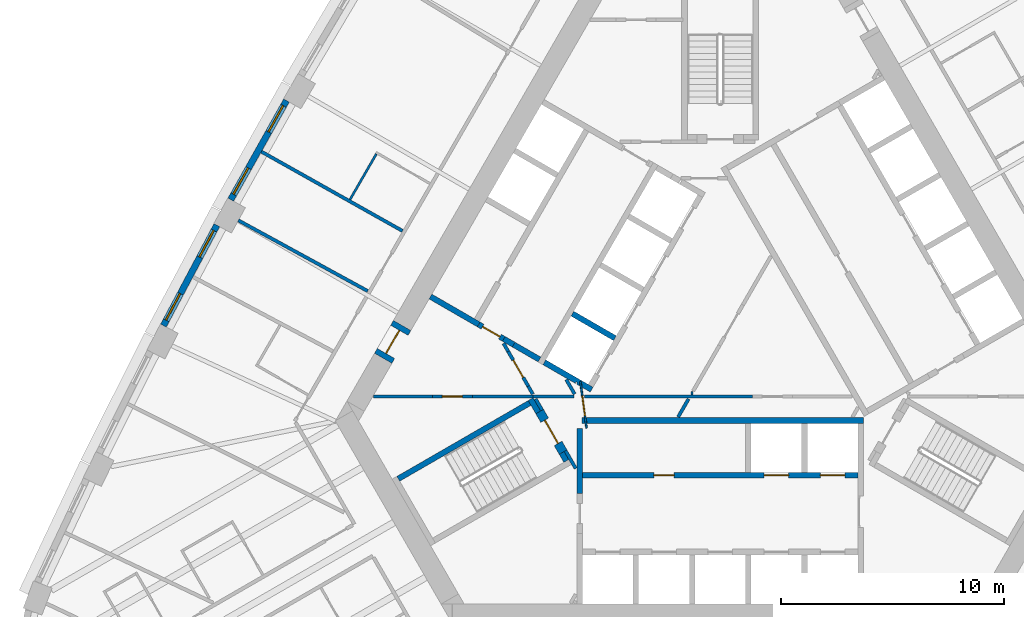
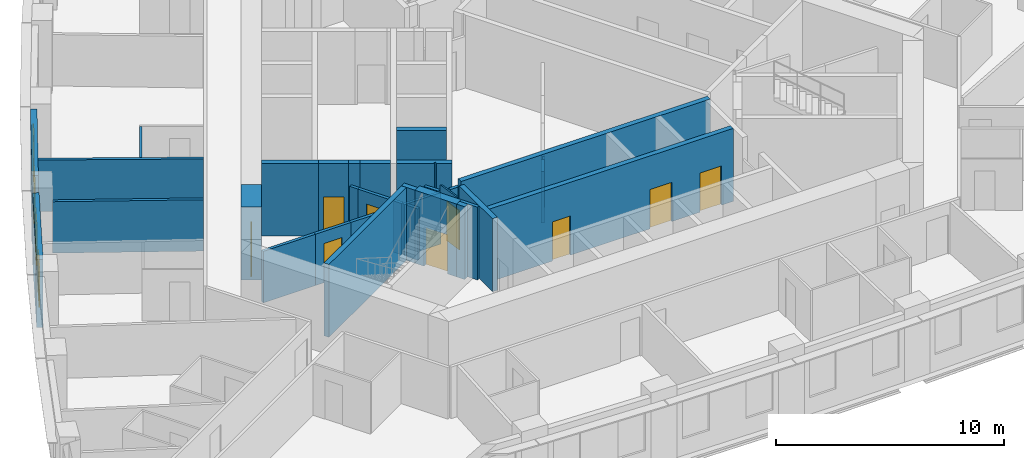
# One storey, part 5 of 12: 33 walls, 9 doors, 4 windows, 13 openings.
"""IFC4 building model written with IfcOpenShell, lengths in metres."""

import ifcopenshell
import ifcopenshell.guid

model = None  # the IFC model being written
_history = None  # IfcOwnerHistory: only IFC2X3 demands one
_inside = {}  # id of a spatial element -> (the spatial element, [elements in it])
_under = {}  # id of a project, library or spatial element -> (it, [spatial elements below it])
_declared = {}  # id of a project -> (the project, [libraries it declares])
_typed = {}  # id of a type object -> (the type object, [elements of that type])
_made_of = {}  # id of a material, layer set ... -> (it, [elements and type objects made of it])


def new_model(schema):
    """Start an empty IFC model of exactly this schema.

    Asked for "IFC4X3", IfcOpenShell would pick the latest addendum, in which some entities
    have other attributes; the version numbers below select the first issue.
    IFC2X3 requires an IfcOwnerHistory on every rooted entity: one is made here for all.
    """
    global model, _history
    if schema == "IFC4X3":
        model = ifcopenshell.file(schema_version=(4, 3, 0, 0))
    else:
        model = ifcopenshell.file(schema=schema)
    _inside.clear()
    _under.clear()
    _declared.clear()
    _typed.clear()
    _made_of.clear()
    _history = None
    if model.schema == "IFC2X3":
        org = make("IfcOrganization", Name="unknown")
        user = make(
            "IfcPersonAndOrganization",
            ThePerson=make("IfcPerson", FamilyName="unknown"),
            TheOrganization=org,
        )
        app = make(
            "IfcApplication",
            ApplicationDeveloper=org,
            Version="unknown",
            ApplicationFullName="unknown",
            ApplicationIdentifier="unknown",
        )
        _history = make(
            "IfcOwnerHistory",
            OwningUser=user,
            OwningApplication=app,
            ChangeAction="ADDED",
            CreationDate=0,
        )
    return model


def make(cls, **values):
    """One entity of the class cls with the attributes given. An attribute that is None is left unset."""
    return model.create_entity(
        cls, **{name: value for name, value in values.items() if value is not None}
    )


def rooted(cls, **values):
    """An entity with a GlobalId (a new one), such as an element, a storey or a relation."""
    return make(cls, GlobalId=ifcopenshell.guid.new(), OwnerHistory=_history, **values)


def si_unit(unit_type, name, prefix=None):
    """IfcSIUnit, for example si_unit("LENGTHUNIT", "METRE", prefix="MILLI")."""
    return make("IfcSIUnit", UnitType=unit_type, Prefix=prefix, Name=name)


def assignment(units):
    """IfcUnitAssignment: the units of a project."""
    return None if units is None else make("IfcUnitAssignment", Units=units)


def point(xyz):
    """IfcCartesianPoint."""
    return None if xyz is None else make("IfcCartesianPoint", Coordinates=xyz)


def direction(xyz):
    """IfcDirection."""
    return None if xyz is None else make("IfcDirection", DirectionRatios=xyz)


def frame(location, z_axis=None, x_axis=None):
    """IfcAxis2Placement3D, a coordinate frame: its origin and axes. An axis left out is left unset."""
    return make(
        "IfcAxis2Placement3D",
        Location=point(location),
        Axis=direction(z_axis),
        RefDirection=direction(x_axis),
    )


def frame_2d(location, x_axis=None):
    """IfcAxis2Placement2D, a coordinate frame in the plane: its origin and x axis."""
    return make(
        "IfcAxis2Placement2D", Location=point(location), RefDirection=direction(x_axis)
    )


def origin():
    """The frame at (0, 0, 0) with its axes left unset."""
    return frame((0.0, 0.0, 0.0))


def place(relative_to, where):
    """IfcLocalPlacement: puts the frame where relative to a parent placement (None: the world)."""
    return make(
        "IfcLocalPlacement", PlacementRelTo=relative_to, RelativePlacement=where
    )


def context(
    kind, dimensions, precision=None, world=None, true_north=None, identifier=None
):
    """IfcGeometricRepresentationContext, for example the 3D "Model" context."""
    return make(
        "IfcGeometricRepresentationContext",
        ContextIdentifier=identifier,
        ContextType=kind,
        CoordinateSpaceDimension=dimensions,
        Precision=precision,
        WorldCoordinateSystem=world,
        TrueNorth=true_north,
    )


def subcontext(parent, identifier, kind, view, scale=None):
    """IfcGeometricRepresentationSubContext, for example "Body" below "Model"."""
    return make(
        "IfcGeometricRepresentationSubContext",
        ContextIdentifier=identifier,
        ContextType=kind,
        ParentContext=parent,
        TargetScale=scale,
        TargetView=view,
    )


def project(units=None, contexts=None):
    """IfcProject with its units and contexts."""
    return rooted(
        "IfcProject",
        Name="project",
        RepresentationContexts=contexts,
        UnitsInContext=assignment(units),
    )


def spatial(cls, under=None, at=None, **own):
    """A site, building, storey or space (cls), placed at a placement, below another one or the project."""
    s = rooted(cls, ObjectPlacement=at, **own)
    if under is not None:
        _under.setdefault(under.id(), (under, []))[1].append(s)
    return s


def polyline(points):
    """IfcPolyline through the points."""
    return make("IfcPolyline", Points=[point(p) for p in points])


def profile(cls, at=None, kind="AREA", **sizes):
    """A parametric profile (cls). Its sizes go by their IFC names, for example OverallWidth=200.0."""
    return make(cls, ProfileType=kind, Position=at, **sizes)


def rectangle(**sizes):
    """IfcRectangleProfileDef."""
    return profile("IfcRectangleProfileDef", **sizes)


def outline(outer, holes=None, kind="AREA"):
    """IfcArbitraryClosedProfileDef: a profile drawn as a closed curve; with holes, ...WithVoids."""
    if holes is None:
        return make("IfcArbitraryClosedProfileDef", ProfileType=kind, OuterCurve=outer)
    return make(
        "IfcArbitraryProfileDefWithVoids",
        ProfileType=kind,
        OuterCurve=outer,
        InnerCurves=holes,
    )


def extrude(swept, where, along, depth):
    """IfcExtrudedAreaSolid: the profile swept, set in the frame where, extruded along a direction by depth."""
    return make(
        "IfcExtrudedAreaSolid",
        SweptArea=swept,
        Position=where,
        ExtrudedDirection=direction(along),
        Depth=depth,
    )


def shape(context_of_items, identifier, shape_type, items):
    """IfcShapeRepresentation: the items that make up one representation, for example the "Body"."""
    return make(
        "IfcShapeRepresentation",
        ContextOfItems=context_of_items,
        RepresentationIdentifier=identifier,
        RepresentationType=shape_type,
        Items=items,
    )


def material(Name=None, Category=None):
    """IfcMaterial."""
    return make("IfcMaterial", Name=Name, Category=Category)


def layer(
    of_material, thickness, ventilated=None, Name=None, Category=None, Priority=None
):
    """IfcMaterialLayer: one layer of a wall or slab, of a material (None: an air gap)."""
    return make(
        "IfcMaterialLayer",
        Material=of_material,
        LayerThickness=thickness,
        IsVentilated=ventilated,
        Name=Name,
        Category=Category,
        Priority=Priority,
    )


def layer_set(layers, Name=None):
    """IfcMaterialLayerSet."""
    return make("IfcMaterialLayerSet", MaterialLayers=layers, LayerSetName=Name)


def made_of(thing, what):
    """Note that an element or type object is made of a material, layer set ...; save() writes the relation."""
    if what is not None:
        _made_of.setdefault(what.id(), (what, []))[1].append(thing)
    return thing


def type_object(cls, material=None, **own):
    """A type object (cls), such as IfcWallType, which elements share."""
    return made_of(rooted(cls, **own), material)


def element(
    cls,
    number,
    at=None,
    inside=None,
    cuts=None,
    type_object=None,
    material=None,
    context=None,
    identifier="Body",
    shape_type=None,
    held_by="IfcProductDefinitionShape",
    body=None,
    shapes=None,
    **own,
):
    """One element of the class cls, such as IfcWall. Its Tag is "e" and its number.

    at: its placement. inside: the storey or other place that contains it. cuts: it is an
    opening in that element (IfcRelVoidsElement). A single representation is given by context,
    identifier, shape_type and body (its items); several are given by shapes. held_by: the class
    of the entity that holds the representations. save() writes the other relations.
    """
    e = rooted(cls, Tag="e%d" % number, ObjectPlacement=at, **own)
    if body is not None:
        shapes = [shape(context, identifier, shape_type, body)]
    if shapes is not None:
        e.Representation = make(held_by, Representations=shapes)
    if inside is not None:
        _inside.setdefault(inside.id(), (inside, []))[1].append(e)
    if cuts is not None:
        rooted(
            "IfcRelVoidsElement", RelatingBuildingElement=cuts, RelatedOpeningElement=e
        )
    if type_object is not None:
        _typed.setdefault(type_object.id(), (type_object, []))[1].append(e)
    return made_of(e, material)


def fill(opening, filler):
    """IfcRelFillsElement: the door or window that sits in an opening."""
    return rooted(
        "IfcRelFillsElement",
        RelatingOpeningElement=opening,
        RelatedBuildingElement=filler,
    )


def aggregate(whole, parts):
    """IfcRelAggregates: a whole, such as a stair, and the parts it consists of."""
    return rooted("IfcRelAggregates", RelatingObject=whole, RelatedObjects=parts)


def save(model, path):
    """Write the relations noted so far, then the file.

    IfcRelAggregates (storeys below a building ...), IfcRelContainedInSpatialStructure (elements
    in a storey), IfcRelDefinesByType, IfcRelAssociatesMaterial and IfcRelDeclares: one each for
    every whole, place, type object, material and project.
    """
    for whole, parts in _under.values():
        aggregate(whole, parts)
    for where, things in _inside.values():
        rooted(
            "IfcRelContainedInSpatialStructure",
            RelatedElements=things,
            RelatingStructure=where,
        )
    for kind, things in _typed.values():
        rooted("IfcRelDefinesByType", RelatedObjects=things, RelatingType=kind)
    for what, things in _made_of.values():
        rooted("IfcRelAssociatesMaterial", RelatedObjects=things, RelatingMaterial=what)
    for by, libraries in _declared.values():
        rooted("IfcRelDeclares", RelatingContext=by, RelatedDefinitions=libraries)
    model.write(path)


model = new_model("IFC4")

# Units and contexts
model_context = context("Model", 3, precision=1e-05, world=origin(), true_north=direction((0.0, 1.0)))
body_context = subcontext(model_context, "Body", "Model", "MODEL_VIEW")
ifc_project = project(units=[si_unit("LENGTHUNIT", "METRE"), si_unit("AREAUNIT", "SQUARE_METRE"), si_unit("VOLUMEUNIT", "CUBIC_METRE"), si_unit("PLANEANGLEUNIT", "RADIAN"), si_unit("MASSUNIT", "GRAM", prefix="KILO")], contexts=[model_context])

# Site, building, storey
site_placement = place(None, origin())
site = spatial("IfcSite", under=ifc_project, at=site_placement, CompositionType="ELEMENT")
building_placement = place(site_placement, origin())
building = spatial("IfcBuilding", under=site, at=building_placement, Name="Mestral Congress Tower", CompositionType="ELEMENT")
storey_placement = place(building_placement, frame((0.0, 0.0, 126.60009765625)))
storey = spatial("IfcBuildingStorey", under=building, at=storey_placement, Name="L30", CompositionType="ELEMENT", Elevation=126.60009765625)

# Walls
ifc_material_1 = material(Name="Fire-rated board partition")
ifc_layer_1 = layer(ifc_material_1, 0.14990234375)
ifc_layer_set_1 = layer_set([ifc_layer_1], Name="Fire-rated board partition")
wall_type_1 = type_object("IfcWallType", Name="Core partition 150", PredefinedType="PARTITIONING", material=ifc_layer_set_1)
wall_1_placement = place(storey_placement, frame((-12.9150390625, -2.800048828125, 0.0), z_axis=(0.0, 0.0, 1.0), x_axis=(-1.0, 0.0, 0.0)))
element("IfcWall", 1, at=wall_1_placement, inside=storey, type_object=wall_type_1, Name="L30 core wall", PredefinedType="PARTITIONING", context=body_context, shape_type="SweptSolid", body=[
    extrude(rectangle(XDim=2.63671875, YDim=0.14990234375, at=frame_2d((1.318359375, 0.0))), origin(), (0.0, 0.0, 1.0), 2.75),
])
wall_2_placement = place(storey_placement, frame((-8.394775390625, -2.800048828125, 0.0), z_axis=(0.0, 0.0, 1.0), x_axis=(1.0, 0.0, 0.0)))
element("IfcWall", 2, at=wall_2_placement, inside=storey, type_object=wall_type_1, Name="L30 core wall", PredefinedType="PARTITIONING", context=body_context, shape_type="SweptSolid", body=[
    extrude(rectangle(XDim=1.828125, YDim=0.14990234375, at=frame_2d((0.9140625, 0.0))), origin(), (0.0, 0.0, 1.0), 2.75),
])
wall_3_placement = place(storey_placement, frame((-11.11474609375, -2.800048828125, 0.0), z_axis=(0.0, 0.0, 1.0), x_axis=(1.0, 0.0, 0.0)))
element("IfcWall", 3, at=wall_3_placement, inside=storey, type_object=wall_type_1, Name="L30 core wall", PredefinedType="PARTITIONING", context=body_context, shape_type="SweptSolid", body=[
    extrude(rectangle(XDim=2.7080078125, YDim=0.14990234375, at=frame_2d((1.35400390625, 0.0))), origin(), (0.0, 0.0, 1.0), 2.75),
])
wall_4_placement = place(storey_placement, frame((-6.53076171875, -2.68896484375, 0.0), z_axis=(0.0, 0.0, 1.0), x_axis=(-0.499967446111, 0.866044197965, 0.0)))
element("IfcWall", 4, at=wall_4_placement, inside=storey, type_object=wall_type_1, Name="L30 core wall", PredefinedType="PARTITIONING", context=body_context, shape_type="SweptSolid", body=[
    extrude(rectangle(XDim=0.74755859375, YDim=0.14990234375, at=frame_2d((0.373779296875, 0.0))), origin(), (0.0, 0.0, 1.0), 2.75),
])
wall_5_placement = place(storey_placement, frame((-7.989990234375, -3.41162109375, 0.0), z_axis=(0.0, 0.0, 1.0), x_axis=(-0.500193841991, 0.86591346013, 0.0)))
element("IfcWall", 5, at=wall_5_placement, inside=storey, type_object=wall_type_1, Name="L30 core wall", PredefinedType="PARTITIONING", context=body_context, shape_type="SweptSolid", body=[
    extrude(rectangle(XDim=0.582763671875, YDim=0.14990234375, at=frame_2d((0.29150390625, 0.0))), origin(), (0.0, 0.0, 1.0), 2.75),
])
wall_6_placement = place(storey_placement, frame((-8.612060546875, -2.33349609375, 0.0), z_axis=(0.0, 0.0, 1.0), x_axis=(0.500248216681, -0.86588204838, 0.0)))
element("IfcWall", 6, at=wall_6_placement, inside=storey, type_object=wall_type_1, Name="L30 core wall", PredefinedType="PARTITIONING", context=body_context, shape_type="SweptSolid", body=[
    extrude(rectangle(XDim=0.415283203125, YDim=0.14990234375, at=frame_2d((0.20751953125, 0.0))), origin(), (0.0, 0.0, 1.0), 2.75),
])
wall_7_placement = place(storey_placement, frame((-6.086181640625, -2.801025390625, 0.0), z_axis=(0.0, 0.0, 1.0), x_axis=(1.0, 0.0, 0.0)))
element("IfcWall", 7, at=wall_7_placement, inside=storey, type_object=wall_type_1, Name="L30 core wall", PredefinedType="PARTITIONING", context=body_context, shape_type="SweptSolid", body=[
    extrude(rectangle(XDim=7.5244140625, YDim=0.14990234375, at=frame_2d((3.76220703125, 0.0))), origin(), (0.0, 0.0, 1.0), 2.75),
])
wall_8_placement = place(storey_placement, frame((-1.886962890625, -3.71826171875, 0.0), z_axis=(0.0, 0.0, 1.0), x_axis=(0.499842898591, 0.866116087328, 0.0)))
element("IfcWall", 8, at=wall_8_placement, inside=storey, type_object=wall_type_1, Name="L30 core wall", PredefinedType="PARTITIONING", context=body_context, shape_type="SweptSolid", body=[
    extrude(rectangle(XDim=0.935791015625, YDim=0.14990234375, at=frame_2d((0.4677734375, 0.0))), origin(), (0.0, 0.0, 1.0), 2.75),
])
wall_9_placement = place(storey_placement, frame((-1.2119140625, -2.65087890625, 0.0), z_axis=(0.0, 0.0, 1.0), x_axis=(-1.0, 0.0, 0.0)))
element("IfcWall", 9, at=wall_9_placement, inside=storey, type_object=wall_type_1, Name="L30 core wall", PredefinedType="PARTITIONING", context=body_context, shape_type="SweptSolid", body=[
    extrude(rectangle(XDim=0.10791015625, YDim=0.14990234375, at=frame_2d((0.053955078125, 0.0))), origin(), (0.0, 0.0, 1.0), 2.75),
])
wall_10_placement = place(storey_placement, frame((-9.511962890625, -0.774658203125, 0.0), z_axis=(0.0, 0.0, 1.0), x_axis=(-0.500080620599, 0.865978852456, 0.0)))
element("IfcWall", 10, at=wall_10_placement, inside=storey, type_object=wall_type_1, Name="L30 core wall", PredefinedType="PARTITIONING", context=body_context, shape_type="SweptSolid", body=[
    extrude(rectangle(XDim=0.4130859375, YDim=0.14990234375, at=frame_2d((0.20654296875, 0.0))), origin(), (0.0, 0.0, 1.0), 2.75),
])

# Wall, opening, door
wall_11_placement = place(storey_placement, frame((-12.914794921875, -2.800048828125, 0.0), z_axis=(0.0, 0.0, 1.0), x_axis=(1.0, 0.0, 0.0)))
wall_11 = element("IfcWall", 11, at=wall_11_placement, inside=storey, type_object=wall_type_1, Name="L30 door wall", PredefinedType="PARTITIONING", context=body_context, shape_type="SweptSolid", body=[
    extrude(rectangle(XDim=1.7998046875, YDim=0.14990234375, at=frame_2d((0.89990234375, 0.0))), origin(), (0.0, 0.0, 1.0), 2.75),
])
opening_1_placement = place(wall_11_placement, frame((0.449951171875, 0.0, 0.0)))
opening_1 = element("IfcOpeningElement", 12, at=opening_1_placement, cuts=wall_11, Name="Opening SD-HUB1", PredefinedType="OPENING", context=body_context, shape_type="SweptSolid", body=[
    extrude(rectangle(XDim=0.89990234375, YDim=2.10009765625, at=frame_2d((0.449951171875, 1.050048828125))), frame((0.0, 0.0849609375, 0.0), z_axis=(0.0, -1.0, 0.0), x_axis=(1.0, 0.0, 0.0)), (0.0, 0.0, 1.0), 0.169921875),
])
ifc_material_2 = material(Name="Fire-rated steel door set", Category="steel")
door_type_1 = type_object("IfcDoorType", Name="Core door SR 900x2100", OperationType="SINGLE_SWING_LEFT", PredefinedType="DOOR", material=ifc_material_2)
door_1_placement = place(opening_1_placement, origin())
door_1 = element("IfcDoor", 13, at=door_1_placement, inside=storey, type_object=door_type_1, Name="Door SD-HUB1", OperationType="SINGLE_SWING_LEFT", OverallHeight=2.10009765625, OverallWidth=0.89990234375, PredefinedType="DOOR", context=body_context, shape_type="SweptSolid", body=[
    extrude(rectangle(XDim=0.89990234375, YDim=2.10009765625, at=frame_2d((0.449951171875, 1.050048828125))), frame((0.0, 0.02490234375, 0.0), z_axis=(0.0, -1.0, 0.0), x_axis=(1.0, 0.0, 0.0)), (0.0, 0.0, 1.0), 0.050048828125),
])
fill(opening_1, door_1)

wall_12_placement = place(storey_placement, frame((-8.612060546875, -2.33349609375, 0.0), z_axis=(0.0, 0.0, 1.0), x_axis=(-0.499961193289, 0.866047807691, 0.0)))
wall_12 = element("IfcWall", 14, at=wall_12_placement, inside=storey, type_object=wall_type_1, Name="L30 door wall", PredefinedType="PARTITIONING", context=body_context, shape_type="SweptSolid", body=[
    extrude(rectangle(XDim=1.800048828125, YDim=0.14990234375, at=frame_2d((0.89990234375, 0.0))), origin(), (0.0, 0.0, 1.0), 2.75),
])
opening_2_placement = place(wall_12_placement, frame((0.449951171875, 0.0, 0.0)))
opening_2 = element("IfcOpeningElement", 15, at=opening_2_placement, cuts=wall_12, Name="Opening SD-HUB5", PredefinedType="OPENING", context=body_context, shape_type="SweptSolid", body=[
    extrude(rectangle(XDim=0.89990234375, YDim=2.10009765625, at=frame_2d((0.449951171875, 1.050048828125))), frame((0.0, 0.0849609375, 0.0), z_axis=(0.0, -1.0, 0.0), x_axis=(1.0, 0.0, 0.0)), (0.0, 0.0, 1.0), 0.169921875),
])
door_2_placement = place(opening_2_placement, origin())
door_2 = element("IfcDoor", 16, at=door_2_placement, inside=storey, type_object=door_type_1, Name="Door SD-HUB5", OperationType="SINGLE_SWING_LEFT", OverallHeight=2.10009765625, OverallWidth=0.89990234375, PredefinedType="DOOR", context=body_context, shape_type="SweptSolid", body=[
    extrude(rectangle(XDim=0.89990234375, YDim=2.10009765625, at=frame_2d((0.449951171875, 1.050048828125))), frame((0.0, 0.02490234375, 0.0), z_axis=(0.0, -1.0, 0.0), x_axis=(1.0, 0.0, 0.0)), (0.0, 0.0, 1.0), 0.050048828125),
])
fill(opening_2, door_2)

ifc_layer_2 = layer(ifc_material_1, 0.075927734375)
ifc_layer_set_2 = layer_set([ifc_layer_2], Name="Fire-rated board partition")
wall_type_2 = type_object("IfcWallType", Name="Core partition 150 door-wall 76", PredefinedType="PARTITIONING", material=ifc_layer_set_2)
wall_13_placement = place(storey_placement, frame((-5.99462890625, -4.213134765625, 0.0), z_axis=(0.0, 0.0, 1.0), x_axis=(-0.132072335448, 0.991240081014, 0.0)))
wall_13 = element("IfcWall", 17, at=wall_13_placement, inside=storey, type_object=wall_type_2, Name="L30 door wall", PredefinedType="PARTITIONING", context=body_context, shape_type="SweptSolid", body=[
    extrude(rectangle(XDim=2.099853515625, YDim=0.07568359375, at=frame_2d((1.0498046875, 0.0))), origin(), (0.0, 0.0, 1.0), 2.75),
])
opening_3_placement = place(wall_13_placement, frame((0.550048828125, 0.0, 0.0)))
opening_3 = element("IfcOpeningElement", 18, at=opening_3_placement, cuts=wall_13, Name="Opening CD3-HUB4", PredefinedType="OPENING", context=body_context, shape_type="SweptSolid", body=[
    extrude(rectangle(XDim=0.89990234375, YDim=2.10009765625, at=frame_2d((0.449951171875, 1.050048828125))), frame((0.0, 0.0478515625, 0.0), z_axis=(0.0, -1.0, 0.0), x_axis=(1.0, 0.0, 0.0)), (0.0, 0.0, 1.0), 0.095703125),
])
door_type_2 = type_object("IfcDoorType", Name="Core door CD 900x2100", OperationType="SINGLE_SWING_LEFT", PredefinedType="DOOR", material=ifc_material_2)
door_3_placement = place(opening_3_placement, origin())
door_3 = element("IfcDoor", 19, at=door_3_placement, inside=storey, type_object=door_type_2, Name="Door CD3-HUB4", OperationType="SINGLE_SWING_LEFT", OverallHeight=2.10009765625, OverallWidth=0.89990234375, PredefinedType="DOOR", context=body_context, shape_type="SweptSolid", body=[
    extrude(rectangle(XDim=0.89990234375, YDim=2.10009765625, at=frame_2d((0.449951171875, 1.050048828125))), frame((0.0, 0.02490234375, 0.0), z_axis=(0.0, -1.0, 0.0), x_axis=(1.0, 0.0, 0.0)), (0.0, 0.0, 1.0), 0.050048828125),
])
fill(opening_3, door_3)

ifc_material_3 = material(Name="Concrete C60/75", Category="concrete")
ifc_layer_3 = layer(ifc_material_3, 0.89990234375)
ifc_layer_set_3 = layer_set([ifc_layer_3], Name="Concrete C60/75")
wall_type_3 = type_object("IfcWallType", Name="Core wall RC 900", PredefinedType="SOLIDWALL", material=ifc_layer_set_3)
wall_14_placement = place(storey_placement, frame((-15.117919921875, -1.085205078125, 0.0), z_axis=(0.0, 0.0, 1.0), x_axis=(0.500000056704, 0.866025371046, 0.0)))
wall_14 = element("IfcWall", 20, at=wall_14_placement, inside=storey, type_object=wall_type_3, Name="L30 door wall", PredefinedType="SOLIDWALL", context=body_context, shape_type="SweptSolid", body=[
    extrude(rectangle(XDim=1.7001953125, YDim=0.89990234375, at=frame_2d((0.85009765625, 0.0))), origin(), (0.0, 0.0, 1.0), 3.89990234375),
])
opening_4_placement = place(wall_14_placement, frame((0.25, 0.0, 0.0)))
opening_4 = element("IfcOpeningElement", 21, at=opening_4_placement, cuts=wall_14, Name="Opening XD3", PredefinedType="OPENING", context=body_context, shape_type="SweptSolid", body=[
    extrude(rectangle(XDim=1.199951171875, YDim=2.10009765625, at=frame_2d((0.60009765625, 1.050048828125))), frame((0.0, 0.4599609375, 0.0), z_axis=(0.0, -1.0, 0.0), x_axis=(1.0, 0.0, 0.0)), (0.0, 0.0, 1.0), 0.919921875),
])
door_type_3 = type_object("IfcDoorType", Name="Core door XD 1200x2100", OperationType="SINGLE_SWING_LEFT", PredefinedType="DOOR", material=ifc_material_2)
door_4_placement = place(opening_4_placement, origin())
door_4 = element("IfcDoor", 22, at=door_4_placement, inside=storey, type_object=door_type_3, Name="Door XD3", OperationType="SINGLE_SWING_LEFT", OverallHeight=2.10009765625, OverallWidth=1.199951171875, PredefinedType="DOOR", context=body_context, shape_type="SweptSolid", body=[
    extrude(rectangle(XDim=1.199951171875, YDim=2.10009765625, at=frame_2d((0.60009765625, 1.050048828125))), frame((0.0, 0.02490234375, 0.0), z_axis=(0.0, -1.0, 0.0), x_axis=(1.0, 0.0, 0.0)), (0.0, 0.0, 1.0), 0.050048828125),
])
fill(opening_4, door_4)

# Wall, openings, windows
ifc_material_4 = material(Name="Precast concrete C40/50 with limestone facing", Category="masonry")
ifc_layer_4 = layer(ifc_material_4, 0.2900390625)
ifc_layer_set_4 = layer_set([ifc_layer_4], Name="Precast concrete C40/50 with limestone facing")
wall_type_4 = type_object("IfcWallType", Name="Facade stone wall 290", PredefinedType="SOLIDWALL", material=ifc_layer_set_4)
wall_15_placement = place(storey_placement, frame((-19.4580078125, 10.479736328125, 0.0), z_axis=(0.0, 0.0, 1.0), x_axis=(-0.48983164787, -0.87181704316, 0.0)))
wall_15 = element("IfcWall", 23, at=wall_15_placement, inside=storey, type_object=wall_type_4, Name="Facade wall F2-04", PredefinedType="SOLIDWALL", context=body_context, shape_type="SweptSolid", body=[
    extrude(rectangle(XDim=5.100341796875, YDim=0.2900390625, at=frame_2d((2.55029296875, 0.0))), origin(), (0.0, 0.0, 1.0), 3.64990234375),
])
opening_5_placement = place(wall_15_placement, frame((0.2724609375, 0.0, 0.89990234375)))
opening_5 = element("IfcOpeningElement", 24, at=opening_5_placement, cuts=wall_15, Name="Opening W2", PredefinedType="OPENING", context=body_context, shape_type="SweptSolid", body=[
    extrude(rectangle(XDim=1.35009765625, YDim=2.14990234375, at=frame_2d((0.675048828125, 1.074951171875))), frame((0.0, 0.155029296875, 0.0), z_axis=(0.0, -1.0, 0.0), x_axis=(1.0, 0.0, 0.0)), (0.0, 0.0, 1.0), 0.31005859375),
])
opening_6_placement = place(wall_15_placement, frame((3.477783203125, 0.0, 0.89990234375)))
opening_6 = element("IfcOpeningElement", 25, at=opening_6_placement, cuts=wall_15, Name="Opening W2", PredefinedType="OPENING", context=body_context, shape_type="SweptSolid", body=[
    extrude(rectangle(XDim=1.35009765625, YDim=2.14990234375, at=frame_2d((0.675048828125, 1.074951171875))), frame((0.0, 0.155029296875, 0.0), z_axis=(0.0, -1.0, 0.0), x_axis=(1.0, 0.0, 0.0)), (0.0, 0.0, 1.0), 0.31005859375),
])
ifc_material_5 = material(Name="Clear low-emissivity double glazing", Category="glass")
window_type = type_object("IfcWindowType", Name="Facade punched window 1350 x 2150 sill 900", PartitioningType="DOUBLE_PANEL_VERTICAL", PredefinedType="WINDOW", material=ifc_material_5)
window_1_placement = place(opening_5_placement, origin())
window_1 = element("IfcWindow", 26, at=window_1_placement, inside=storey, type_object=window_type, Name="Window F2-04a", OverallHeight=2.14990234375, OverallWidth=1.35009765625, PartitioningType="DOUBLE_PANEL_VERTICAL", PredefinedType="WINDOW", context=body_context, shape_type="SweptSolid", body=[
    extrude(rectangle(XDim=1.35009765625, YDim=2.14990234375, at=frame_2d((0.675048828125, 1.074951171875))), frame((0.0, 0.01513671875, 0.0), z_axis=(0.0, -1.0, 0.0), x_axis=(1.0, 0.0, 0.0)), (0.0, 0.0, 1.0), 0.06005859375),
])
fill(opening_5, window_1)
window_2_placement = place(opening_6_placement, origin())
window_2 = element("IfcWindow", 27, at=window_2_placement, inside=storey, type_object=window_type, Name="Window F2-04b", OverallHeight=2.14990234375, OverallWidth=1.35009765625, PartitioningType="DOUBLE_PANEL_VERTICAL", PredefinedType="WINDOW", context=body_context, shape_type="SweptSolid", body=[
    extrude(rectangle(XDim=1.35009765625, YDim=2.14990234375, at=frame_2d((0.675048828125, 1.074951171875))), frame((0.0, 0.01513671875, 0.0), z_axis=(0.0, -1.0, 0.0), x_axis=(1.0, 0.0, 0.0)), (0.0, 0.0, 1.0), 0.06005859375),
])
fill(opening_6, window_2)

wall_16_placement = place(storey_placement, frame((-22.5830078125, 4.88671875, 0.0), z_axis=(0.0, 0.0, 1.0), x_axis=(-0.469323203119, -0.883026461106, 0.0)))
wall_16 = element("IfcWall", 28, at=wall_16_placement, inside=storey, type_object=wall_type_4, Name="Facade wall F2-05", PredefinedType="SOLIDWALL", context=body_context, shape_type="SweptSolid", body=[
    extrude(rectangle(XDim=5.1005859375, YDim=0.2900390625, at=frame_2d((2.55029296875, 0.0))), origin(), (0.0, 0.0, 1.0), 3.64990234375),
])
opening_7_placement = place(wall_16_placement, frame((0.272705078125, 0.0, 0.89990234375)))
opening_7 = element("IfcOpeningElement", 29, at=opening_7_placement, cuts=wall_16, Name="Opening W2", PredefinedType="OPENING", context=body_context, shape_type="SweptSolid", body=[
    extrude(rectangle(XDim=1.35009765625, YDim=2.14990234375, at=frame_2d((0.675048828125, 1.074951171875))), frame((0.0, 0.155029296875, 0.0), z_axis=(0.0, -1.0, 0.0), x_axis=(1.0, 0.0, 0.0)), (0.0, 0.0, 1.0), 0.31005859375),
])
opening_8_placement = place(wall_16_placement, frame((3.477783203125, 0.0, 0.89990234375)))
opening_8 = element("IfcOpeningElement", 30, at=opening_8_placement, cuts=wall_16, Name="Opening W2", PredefinedType="OPENING", context=body_context, shape_type="SweptSolid", body=[
    extrude(rectangle(XDim=1.35009765625, YDim=2.14990234375, at=frame_2d((0.675048828125, 1.074951171875))), frame((0.0, 0.155029296875, 0.0), z_axis=(0.0, -1.0, 0.0), x_axis=(1.0, 0.0, 0.0)), (0.0, 0.0, 1.0), 0.31005859375),
])
window_3_placement = place(opening_7_placement, origin())
window_3 = element("IfcWindow", 31, at=window_3_placement, inside=storey, type_object=window_type, Name="Window F2-05a", OverallHeight=2.14990234375, OverallWidth=1.35009765625, PartitioningType="DOUBLE_PANEL_VERTICAL", PredefinedType="WINDOW", context=body_context, shape_type="SweptSolid", body=[
    extrude(rectangle(XDim=1.35009765625, YDim=2.14990234375, at=frame_2d((0.675048828125, 1.074951171875))), frame((0.0, 0.01513671875, 0.0), z_axis=(0.0, -1.0, 0.0), x_axis=(1.0, 0.0, 0.0)), (0.0, 0.0, 1.0), 0.06005859375),
])
fill(opening_7, window_3)
window_4_placement = place(opening_8_placement, origin())
window_4 = element("IfcWindow", 32, at=window_4_placement, inside=storey, type_object=window_type, Name="Window F2-05b", OverallHeight=2.14990234375, OverallWidth=1.35009765625, PartitioningType="DOUBLE_PANEL_VERTICAL", PredefinedType="WINDOW", context=body_context, shape_type="SweptSolid", body=[
    extrude(rectangle(XDim=1.35009765625, YDim=2.14990234375, at=frame_2d((0.675048828125, 1.074951171875))), frame((0.0, 0.01513671875, 0.0), z_axis=(0.0, -1.0, 0.0), x_axis=(1.0, 0.0, 0.0)), (0.0, 0.0, 1.0), 0.06005859375),
])
fill(opening_8, window_4)

# Walls
ifc_material_6 = material(Name="Gypsum board partition on metal studs with mineral wool", Category="composite")
ifc_layer_5 = layer(ifc_material_6, 0.10009765625)
ifc_layer_set_5 = layer_set([ifc_layer_5], Name="Gypsum board partition on metal studs with mineral wool")
wall_type_5 = type_object("IfcWallType", Name="Hotel partition wall 100", PredefinedType="PARTITIONING", material=ifc_layer_set_5)
wall_17_placement = place(storey_placement, frame((-15.42529296875, 8.08251953125, 0.0), z_axis=(0.0, 0.0, 1.0), x_axis=(-0.500032858622, -0.866006432019, 0.0)))
element("IfcWall", 33, at=wall_17_placement, inside=storey, type_object=wall_type_5, Name="L30-h-pod15b", PredefinedType="PARTITIONING", context=body_context, shape_type="SweptSolid", body=[
    extrude(rectangle(XDim=2.360107421875, YDim=0.10009765625, at=frame_2d((1.18017578125, 0.0))), origin(), (0.0, 0.0, 1.0), 2.75),
])
ifc_layer_6 = layer(ifc_material_6, 0.14990234375)
ifc_layer_set_6 = layer_set([ifc_layer_6], Name="Gypsum board partition on metal studs with mineral wool")
wall_type_6 = type_object("IfcWallType", Name="Hotel partition wall 150", PredefinedType="PARTITIONING", material=ifc_layer_set_6)
wall_18_placement = place(storey_placement, frame((-21.614013671875, 5.1015625, 0.0), z_axis=(0.0, 0.0, 1.0), x_axis=(0.877484555087, -0.479604895287, 0.0)))
element("IfcWall", 34, at=wall_18_placement, inside=storey, type_object=wall_type_6, Name="L30-h-pw05", PredefinedType="PARTITIONING", context=body_context, shape_type="SweptSolid", body=[
    extrude(rectangle(XDim=6.611083984375, YDim=0.14990234375, at=frame_2d((3.3056640625, 0.0))), origin(), (0.0, 0.0, 1.0), 2.75),
])
wall_19_placement = place(storey_placement, frame((-20.580810546875, 8.185302734375, 0.0), z_axis=(0.0, 0.0, 1.0), x_axis=(0.871820720803, -0.489825102233, 0.0)))
element("IfcWall", 35, at=wall_19_placement, inside=storey, type_object=wall_type_6, Name="L30-h-pw06", PredefinedType="PARTITIONING", context=body_context, shape_type="SweptSolid", body=[
    extrude(rectangle(XDim=7.256591796875, YDim=0.14990234375, at=frame_2d((3.62841796875, 0.0))), origin(), (0.0, 0.0, 1.0), 2.75),
])
ifc_layer_7 = layer(ifc_material_3, 0.25)
ifc_layer_set_7 = layer_set([ifc_layer_7], Name="Concrete C60/75")
wall_type_7 = type_object("IfcWallType", Name="Shaft wall RC 250", PredefinedType="SOLIDWALL", material=ifc_layer_set_7)
wall_20_placement = place(storey_placement, frame((-6.300048828125, -4.239990234375, 0.0), z_axis=(0.0, 0.0, 1.0), x_axis=(0.0, -1.0, 0.0)))
element("IfcWall", 36, at=wall_20_placement, inside=storey, type_object=wall_type_7, Name="L30 core wall", PredefinedType="SOLIDWALL", context=body_context, shape_type="SweptSolid", body=[
    extrude(rectangle(XDim=2.914306640625, YDim=0.25, at=frame_2d((1.45703125, 0.0))), origin(), (0.0, 0.0, 1.0), 3.89990234375),
])
wall_21_placement = place(storey_placement, frame((-6.189697265625, -3.875, 0.0), z_axis=(0.0, 0.0, 1.0), x_axis=(1.0, 0.0, 0.0)))
element("IfcWall", 37, at=wall_21_placement, inside=storey, type_object=wall_type_7, Name="L30 core wall", PredefinedType="SOLIDWALL", context=body_context, shape_type="SweptSolid", body=[
    extrude(rectangle(XDim=12.61474609375, YDim=0.25, at=frame_2d((6.307373046875, 0.0))), origin(), (0.0, 0.0, 1.0), 3.89990234375),
])
wall_22_placement = place(storey_placement, frame((-4.72412109375, -0.182373046875, 0.0), z_axis=(0.0, 0.0, 1.0), x_axis=(-0.866008176907, 0.50002983664, 0.0)))
element("IfcWall", 38, at=wall_22_placement, inside=storey, type_object=wall_type_7, Name="L30 core wall", PredefinedType="SOLIDWALL", context=body_context, shape_type="SweptSolid", body=[
    extrude(rectangle(XDim=2.199951171875, YDim=0.25, at=frame_2d((1.10009765625, 0.0))), origin(), (0.0, 0.0, 1.0), 3.89990234375),
])
wall_23_placement = place(storey_placement, origin())
element("IfcWall", 39, at=wall_23_placement, inside=storey, type_object=wall_type_7, Name="L30 core wall", PredefinedType="SOLIDWALL", context=body_context, shape_type="SweptSolid", body=[
    extrude(outline(polyline([(-5.921630859375, -2.256591796875), (-5.921630859375, -2.256591796875), (-5.705078125, -2.381591796875), (-5.830078125, -2.597900390625), (-6.41845703125, -2.25830078125), (-6.4326171875, -2.153076171875), (-6.4326171875, -2.15283203125), (-6.4326171875, -2.15283203125), (-6.5078125, -2.162841796875), (-6.5078125, -2.162841796875), (-6.5078125, -2.1630859375), (-6.50146484375, -2.21044921875), (-7.951904296875, -1.373046875), (-7.826904296875, -1.156494140625), (-5.921630859375, -2.256591796875)])), origin(), (0.0, 0.0, 1.0), 3.89990234375),
])
wall_24_placement = place(storey_placement, frame((-9.7080078125, -0.21484375, 0.0), z_axis=(0.0, 0.0, 1.0), x_axis=(0.866113839764, -0.499846793097, 0.0)))
element("IfcWall", 40, at=wall_24_placement, inside=storey, type_object=wall_type_7, Name="L30 core wall", PredefinedType="SOLIDWALL", context=body_context, shape_type="SweptSolid", body=[
    extrude(rectangle(XDim=0.510009765625, YDim=0.25, at=frame_2d((0.2548828125, 0.0))), origin(), (0.0, 0.0, 1.0), 3.89990234375),
])
wall_25_placement = place(storey_placement, frame((-12.998779296875, 1.685302734375, 0.0), z_axis=(0.0, 0.0, 1.0), x_axis=(0.865996765544, -0.500049599607, 0.0)))
element("IfcWall", 41, at=wall_25_placement, inside=storey, type_object=wall_type_7, Name="L30 core wall", PredefinedType="SOLIDWALL", context=body_context, shape_type="SweptSolid", body=[
    extrude(rectangle(XDim=2.497802734375, YDim=0.25, at=frame_2d((1.2490234375, 0.0))), origin(), (0.0, 0.0, 1.0), 3.89990234375),
])
wall_26_placement = place(storey_placement, frame((-9.2646484375, -0.470703125, 0.0), z_axis=(0.0, 0.0, 1.0), x_axis=(0.865954634268, -0.500122556369, 0.0)))
element("IfcWall", 42, at=wall_26_placement, inside=storey, type_object=wall_type_7, Name="L30 core wall", PredefinedType="SOLIDWALL", context=body_context, shape_type="SweptSolid", body=[
    extrude(rectangle(XDim=1.338134765625, YDim=0.25, at=frame_2d((0.6689453125, 0.0))), origin(), (0.0, 0.0, 1.0), 3.89990234375),
])

# Wall, openings, doors
wall_27_placement = place(storey_placement, frame((-6.175048828125, -6.324951171875, 0.0), z_axis=(0.0, 0.0, 1.0), x_axis=(1.0, 0.0, 0.0)))
wall_27 = element("IfcWall", 43, at=wall_27_placement, inside=storey, type_object=wall_type_7, Name="L30 door wall", PredefinedType="SOLIDWALL", context=body_context, shape_type="SweptSolid", body=[
    extrude(rectangle(XDim=12.35009765625, YDim=0.25, at=frame_2d((6.175048828125, 0.0))), origin(), (0.0, 0.0, 1.0), 3.89990234375),
])
opening_9_placement = place(wall_27_placement, frame((3.205078125, 0.0, 0.0)))
opening_9 = element("IfcOpeningElement", 44, at=opening_9_placement, cuts=wall_27, Name="Opening SR-SOB1", PredefinedType="OPENING", context=body_context, shape_type="SweptSolid", body=[
    extrude(rectangle(XDim=0.89990234375, YDim=2.10009765625, at=frame_2d((0.449951171875, 1.050048828125))), frame((0.0, 0.135009765625, 0.0), z_axis=(0.0, -1.0, 0.0), x_axis=(1.0, 0.0, 0.0)), (0.0, 0.0, 1.0), 0.27001953125),
])
opening_10_placement = place(wall_27_placement, frame((8.14501953125, 0.0, 0.0)))
opening_10 = element("IfcOpeningElement", 45, at=opening_10_placement, cuts=wall_27, Name="Opening LD-SOB4", PredefinedType="OPENING", context=body_context, shape_type="SweptSolid", body=[
    extrude(rectangle(XDim=1.10009765625, YDim=2.10009765625, at=frame_2d((0.550048828125, 1.050048828125))), frame((0.0, 0.135009765625, 0.0), z_axis=(0.0, -1.0, 0.0), x_axis=(1.0, 0.0, 0.0)), (0.0, 0.0, 1.0), 0.27001953125),
])
opening_11_placement = place(wall_27_placement, frame((10.6650390625, 0.0, 0.0)))
opening_11 = element("IfcOpeningElement", 46, at=opening_11_placement, cuts=wall_27, Name="Opening LD-SOB5", PredefinedType="OPENING", context=body_context, shape_type="SweptSolid", body=[
    extrude(rectangle(XDim=1.10009765625, YDim=2.10009765625, at=frame_2d((0.550048828125, 1.050048828125))), frame((0.0, 0.135009765625, 0.0), z_axis=(0.0, -1.0, 0.0), x_axis=(1.0, 0.0, 0.0)), (0.0, 0.0, 1.0), 0.27001953125),
])
door_type_4 = type_object("IfcDoorType", Name="Core door LD 1100x2100", OperationType="DOUBLE_DOOR_SLIDING", PredefinedType="DOOR", material=ifc_material_2)
door_5_placement = place(opening_10_placement, origin())
door_5 = element("IfcDoor", 47, at=door_5_placement, inside=storey, type_object=door_type_4, Name="Door LD-SOB4", OperationType="DOUBLE_DOOR_SLIDING", OverallHeight=2.10009765625, OverallWidth=1.10009765625, PredefinedType="DOOR", context=body_context, shape_type="SweptSolid", body=[
    extrude(rectangle(XDim=1.10009765625, YDim=2.10009765625, at=frame_2d((0.550048828125, 1.050048828125))), frame((0.0, 0.02490234375, 0.0), z_axis=(0.0, -1.0, 0.0), x_axis=(1.0, 0.0, 0.0)), (0.0, 0.0, 1.0), 0.050048828125),
])
fill(opening_10, door_5)
door_6_placement = place(opening_11_placement, origin())
door_6 = element("IfcDoor", 48, at=door_6_placement, inside=storey, type_object=door_type_4, Name="Door LD-SOB5", OperationType="DOUBLE_DOOR_SLIDING", OverallHeight=2.10009765625, OverallWidth=1.10009765625, PredefinedType="DOOR", context=body_context, shape_type="SweptSolid", body=[
    extrude(rectangle(XDim=1.10009765625, YDim=2.10009765625, at=frame_2d((0.550048828125, 1.050048828125))), frame((0.0, 0.02490234375, 0.0), z_axis=(0.0, -1.0, 0.0), x_axis=(1.0, 0.0, 0.0)), (0.0, 0.0, 1.0), 0.050048828125),
])
fill(opening_11, door_6)
door_7_placement = place(opening_9_placement, origin())
door_7 = element("IfcDoor", 49, at=door_7_placement, inside=storey, type_object=door_type_1, Name="Door SR-SOB1", OperationType="SINGLE_SWING_LEFT", OverallHeight=2.10009765625, OverallWidth=0.89990234375, PredefinedType="DOOR", context=body_context, shape_type="SweptSolid", body=[
    extrude(rectangle(XDim=0.89990234375, YDim=2.10009765625, at=frame_2d((0.449951171875, 1.050048828125))), frame((0.0, 0.02490234375, 0.0), z_axis=(0.0, -1.0, 0.0), x_axis=(1.0, 0.0, 0.0)), (0.0, 0.0, 1.0), 0.050048828125),
])
fill(opening_9, door_7)

# Wall, opening, door
wall_28_placement = place(storey_placement, frame((-9.7080078125, -0.215087890625, 0.0), z_axis=(0.0, 0.0, 1.0), x_axis=(-0.866004217611, 0.500036693733, 0.0)))
wall_28 = element("IfcWall", 50, at=wall_28_placement, inside=storey, type_object=wall_type_7, Name="L30 door wall", PredefinedType="SOLIDWALL", context=body_context, shape_type="SweptSolid", body=[
    extrude(rectangle(XDim=1.30029296875, YDim=0.25, at=frame_2d((0.650146484375, 0.0))), origin(), (0.0, 0.0, 1.0), 3.89990234375),
])
opening_12_placement = place(wall_28_placement, frame((0.199951171875, 0.0, 0.0)))
opening_12 = element("IfcOpeningElement", 51, at=opening_12_placement, cuts=wall_28, Name="Opening PD3", PredefinedType="OPENING", context=body_context, shape_type="SweptSolid", body=[
    extrude(rectangle(XDim=0.89990234375, YDim=2.10009765625, at=frame_2d((0.449951171875, 1.050048828125))), frame((0.0, 0.135009765625, 0.0), z_axis=(0.0, -1.0, 0.0), x_axis=(1.0, 0.0, 0.0)), (0.0, 0.0, 1.0), 0.27001953125),
])
door_type_5 = type_object("IfcDoorType", Name="Core door PD 900x2100", OperationType="SINGLE_SWING_LEFT", PredefinedType="DOOR", material=ifc_material_2)
door_8_placement = place(opening_12_placement, origin())
door_8 = element("IfcDoor", 52, at=door_8_placement, inside=storey, type_object=door_type_5, Name="Door PD3", OperationType="SINGLE_SWING_LEFT", OverallHeight=2.10009765625, OverallWidth=0.89990234375, PredefinedType="DOOR", context=body_context, shape_type="SweptSolid", body=[
    extrude(rectangle(XDim=0.89990234375, YDim=2.10009765625, at=frame_2d((0.449951171875, 1.050048828125))), frame((0.0, 0.02490234375, 0.0), z_axis=(0.0, -1.0, 0.0), x_axis=(1.0, 0.0, 0.0)), (0.0, 0.0, 1.0), 0.050048828125),
])
fill(opening_12, door_8)

# Walls
ifc_layer_8 = layer(ifc_material_3, 0.14990234375)
ifc_layer_set_8 = layer_set([ifc_layer_8], Name="Concrete C60/75")
wall_type_8 = type_object("IfcWallType", Name="Shaft wall RC 250 door-wall 150", PredefinedType="SOLIDWALL", material=ifc_layer_set_8)
wall_29_placement = place(storey_placement, frame((-6.48046875, -6.026611328125, 0.0), z_axis=(0.0, 0.0, 1.0), x_axis=(-0.499936960004, 0.866061796884, 0.0)))
element("IfcWall", 53, at=wall_29_placement, inside=storey, type_object=wall_type_8, Name="L30 core wall", PredefinedType="PARTITIONING", context=body_context, shape_type="SweptSolid", body=[
    extrude(rectangle(XDim=0.91943359375, YDim=0.14990234375, at=frame_2d((0.459716796875, 0.0))), origin(), (0.0, 0.0, 1.0), 3.89990234375),
])
ifc_layer_9 = layer(ifc_material_3, 0.25)
ifc_layer_set_9 = layer_set([ifc_layer_9], Name="Concrete C60/75")
wall_type_9 = type_object("IfcWallType", Name="Stair wall RC 250", PredefinedType="SOLIDWALL", material=ifc_layer_set_9)
wall_30_placement = place(storey_placement, frame((-14.43994140625, -6.489501953125, 0.0), z_axis=(0.0, 0.0, 1.0), x_axis=(0.866022966069, 0.500004222222, 0.0)))
element("IfcWall", 54, at=wall_30_placement, inside=storey, type_object=wall_type_9, Name="L30 core wall", PredefinedType="SOLIDWALL", context=body_context, shape_type="SweptSolid", body=[
    extrude(rectangle(XDim=6.80029296875, YDim=0.25, at=frame_2d((3.400146484375, 0.0))), origin(), (0.0, 0.0, 1.0), 3.89990234375),
])
wall_31_placement = place(storey_placement, frame((-8.162841796875, -3.51123046875, 0.0), z_axis=(0.0, 0.0, 1.0), x_axis=(-0.500206266495, 0.865906283012, 0.0)))
element("IfcWall", 55, at=wall_31_placement, inside=storey, type_object=wall_type_9, Name="L30 core wall", PredefinedType="SOLIDWALL", context=body_context, shape_type="SweptSolid", body=[
    extrude(rectangle(XDim=0.684326171875, YDim=0.25, at=frame_2d((0.34228515625, 0.0))), origin(), (0.0, 0.0, 1.0), 3.89990234375),
])
wall_32_placement = place(storey_placement, frame((-6.905029296875, -5.68994140625, 0.0), z_axis=(0.0, 0.0, 1.0), x_axis=(-0.499993700073, 0.866029041019, 0.0)))
element("IfcWall", 56, at=wall_32_placement, inside=storey, type_object=wall_type_9, Name="L30 core wall", PredefinedType="SOLIDWALL", context=body_context, shape_type="SweptSolid", body=[
    extrude(rectangle(XDim=0.41552734375, YDim=0.25, at=frame_2d((0.207763671875, 0.0))), origin(), (0.0, 0.0, 1.0), 3.89990234375),
])

# Wall, opening, door
ifc_layer_10 = layer(ifc_material_3, 0.39990234375)
ifc_layer_set_10 = layer_set([ifc_layer_10], Name="Concrete C60/75")
wall_type_10 = type_object("IfcWallType", Name="Stair wall RC 250 door-wall 400", PredefinedType="SOLIDWALL", material=ifc_layer_set_10)
wall_33_placement = place(storey_placement, frame((-8.097900390625, -3.473876953125, 0.0), z_axis=(0.0, 0.0, 1.0), x_axis=(0.49994051562, -0.866059744384, 0.0)))
wall_33 = element("IfcWall", 57, at=wall_33_placement, inside=storey, type_object=wall_type_10, Name="L30 door wall", PredefinedType="SOLIDWALL", context=body_context, shape_type="SweptSolid", body=[
    extrude(rectangle(XDim=2.099853515625, YDim=0.39990234375, at=frame_2d((1.0498046875, 0.0))), origin(), (0.0, 0.0, 1.0), 3.89990234375),
])
opening_13_placement = place(wall_33_placement, frame((0.449951171875, 0.0, 0.0)))
opening_13 = element("IfcOpeningElement", 58, at=opening_13_placement, cuts=wall_33, Name="Opening ST-D3", PredefinedType="OPENING", context=body_context, shape_type="SweptSolid", body=[
    extrude(rectangle(XDim=1.199951171875, YDim=2.10009765625, at=frame_2d((0.60009765625, 1.050048828125))), frame((0.0, 0.2099609375, 0.0), z_axis=(0.0, -1.0, 0.0), x_axis=(1.0, 0.0, 0.0)), (0.0, 0.0, 1.0), 0.419921875),
])
door_type_6 = type_object("IfcDoorType", Name="Core door ST 1200x2100", OperationType="SINGLE_SWING_LEFT", PredefinedType="DOOR", material=ifc_material_2)
door_9_placement = place(opening_13_placement, origin())
door_9 = element("IfcDoor", 59, at=door_9_placement, inside=storey, type_object=door_type_6, Name="Door ST-D3", OperationType="SINGLE_SWING_LEFT", OverallHeight=2.10009765625, OverallWidth=1.199951171875, PredefinedType="DOOR", context=body_context, shape_type="SweptSolid", body=[
    extrude(rectangle(XDim=1.199951171875, YDim=2.10009765625, at=frame_2d((0.60009765625, 1.050048828125))), frame((0.0, 0.02490234375, 0.0), z_axis=(0.0, -1.0, 0.0), x_axis=(1.0, 0.0, 0.0)), (0.0, 0.0, 1.0), 0.050048828125),
])
fill(opening_13, door_9)

save(model, "model.ifc")
